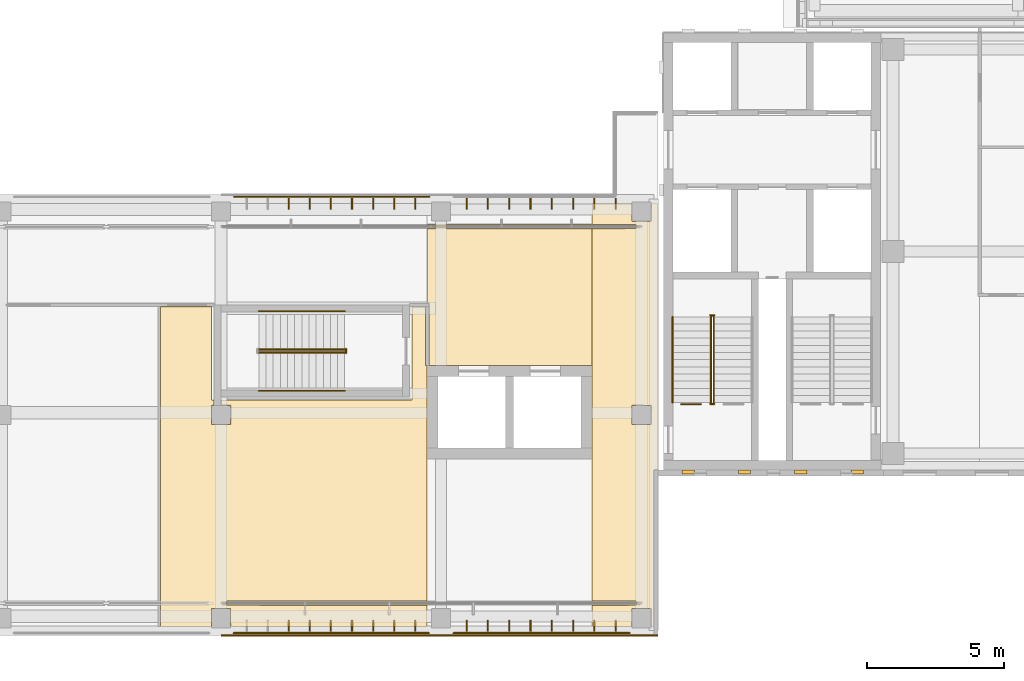
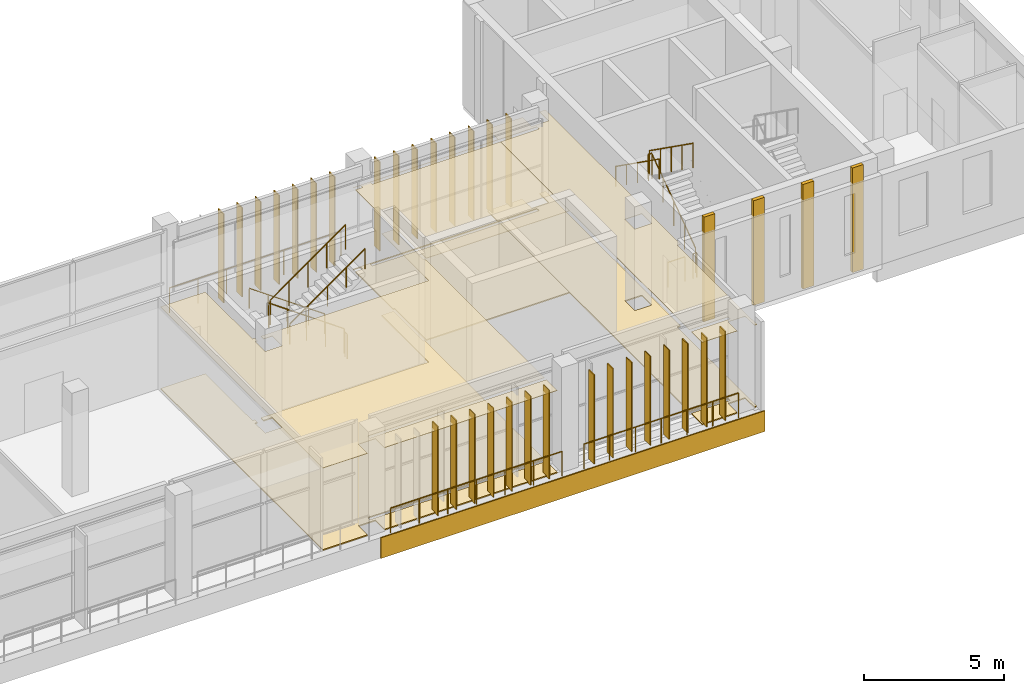
# One storey, part 39 of 46: 30 shading devices, 14 railings, 11 coverings.
"""IFC4 building model written with IfcOpenShell, lengths in metres."""

import ifcopenshell
import ifcopenshell.guid

model = None  # the IFC model being written
_history = None  # IfcOwnerHistory: only IFC2X3 demands one
_inside = {}  # id of a spatial element -> (the spatial element, [elements in it])
_under = {}  # id of a project, library or spatial element -> (it, [spatial elements below it])
_declared = {}  # id of a project -> (the project, [libraries it declares])
_typed = {}  # id of a type object -> (the type object, [elements of that type])
_made_of = {}  # id of a material, layer set ... -> (it, [elements and type objects made of it])


def new_model(schema):
    """Start an empty IFC model of exactly this schema.

    Asked for "IFC4X3", IfcOpenShell would pick the latest addendum, in which some entities
    have other attributes; the version numbers below select the first issue.
    IFC2X3 requires an IfcOwnerHistory on every rooted entity: one is made here for all.
    """
    global model, _history
    if schema == "IFC4X3":
        model = ifcopenshell.file(schema_version=(4, 3, 0, 0))
    else:
        model = ifcopenshell.file(schema=schema)
    _inside.clear()
    _under.clear()
    _declared.clear()
    _typed.clear()
    _made_of.clear()
    _history = None
    if model.schema == "IFC2X3":
        org = make("IfcOrganization", Name="unknown")
        user = make(
            "IfcPersonAndOrganization",
            ThePerson=make("IfcPerson", FamilyName="unknown"),
            TheOrganization=org,
        )
        app = make(
            "IfcApplication",
            ApplicationDeveloper=org,
            Version="unknown",
            ApplicationFullName="unknown",
            ApplicationIdentifier="unknown",
        )
        _history = make(
            "IfcOwnerHistory",
            OwningUser=user,
            OwningApplication=app,
            ChangeAction="ADDED",
            CreationDate=0,
        )
    return model


def make(cls, **values):
    """One entity of the class cls with the attributes given. An attribute that is None is left unset."""
    return model.create_entity(
        cls, **{name: value for name, value in values.items() if value is not None}
    )


def rooted(cls, **values):
    """An entity with a GlobalId (a new one), such as an element, a storey or a relation."""
    return make(cls, GlobalId=ifcopenshell.guid.new(), OwnerHistory=_history, **values)


def si_unit(unit_type, name, prefix=None):
    """IfcSIUnit, for example si_unit("LENGTHUNIT", "METRE", prefix="MILLI")."""
    return make("IfcSIUnit", UnitType=unit_type, Prefix=prefix, Name=name)


def assignment(units):
    """IfcUnitAssignment: the units of a project."""
    return None if units is None else make("IfcUnitAssignment", Units=units)


def point(xyz):
    """IfcCartesianPoint."""
    return None if xyz is None else make("IfcCartesianPoint", Coordinates=xyz)


def direction(xyz):
    """IfcDirection."""
    return None if xyz is None else make("IfcDirection", DirectionRatios=xyz)


def frame(location, z_axis=None, x_axis=None):
    """IfcAxis2Placement3D, a coordinate frame: its origin and axes. An axis left out is left unset."""
    return make(
        "IfcAxis2Placement3D",
        Location=point(location),
        Axis=direction(z_axis),
        RefDirection=direction(x_axis),
    )


def frame_2d(location, x_axis=None):
    """IfcAxis2Placement2D, a coordinate frame in the plane: its origin and x axis."""
    return make(
        "IfcAxis2Placement2D", Location=point(location), RefDirection=direction(x_axis)
    )


def origin():
    """The frame at (0, 0, 0) with its axes left unset."""
    return frame((0.0, 0.0, 0.0))


def origin_2d():
    """The frame at (0, 0) in the plane with its x axis left unset."""
    return frame_2d((0.0, 0.0))


def place(relative_to, where):
    """IfcLocalPlacement: puts the frame where relative to a parent placement (None: the world)."""
    return make(
        "IfcLocalPlacement", PlacementRelTo=relative_to, RelativePlacement=where
    )


def context(
    kind, dimensions, precision=None, world=None, true_north=None, identifier=None
):
    """IfcGeometricRepresentationContext, for example the 3D "Model" context."""
    return make(
        "IfcGeometricRepresentationContext",
        ContextIdentifier=identifier,
        ContextType=kind,
        CoordinateSpaceDimension=dimensions,
        Precision=precision,
        WorldCoordinateSystem=world,
        TrueNorth=true_north,
    )


def subcontext(parent, identifier, kind, view, scale=None):
    """IfcGeometricRepresentationSubContext, for example "Body" below "Model"."""
    return make(
        "IfcGeometricRepresentationSubContext",
        ContextIdentifier=identifier,
        ContextType=kind,
        ParentContext=parent,
        TargetScale=scale,
        TargetView=view,
    )


def project(units=None, contexts=None):
    """IfcProject with its units and contexts."""
    return rooted(
        "IfcProject",
        Name="project",
        RepresentationContexts=contexts,
        UnitsInContext=assignment(units),
    )


def spatial(cls, under=None, at=None, **own):
    """A site, building, storey or space (cls), placed at a placement, below another one or the project."""
    s = rooted(cls, ObjectPlacement=at, **own)
    if under is not None:
        _under.setdefault(under.id(), (under, []))[1].append(s)
    return s


def polyline(points):
    """IfcPolyline through the points."""
    return make("IfcPolyline", Points=[point(p) for p in points])


def profile(cls, at=None, kind="AREA", **sizes):
    """A parametric profile (cls). Its sizes go by their IFC names, for example OverallWidth=200.0."""
    return make(cls, ProfileType=kind, Position=at, **sizes)


def rectangle(**sizes):
    """IfcRectangleProfileDef."""
    return profile("IfcRectangleProfileDef", **sizes)


def circle(**sizes):
    """IfcCircleProfileDef."""
    return profile("IfcCircleProfileDef", **sizes)


def outline(outer, holes=None, kind="AREA"):
    """IfcArbitraryClosedProfileDef: a profile drawn as a closed curve; with holes, ...WithVoids."""
    if holes is None:
        return make("IfcArbitraryClosedProfileDef", ProfileType=kind, OuterCurve=outer)
    return make(
        "IfcArbitraryProfileDefWithVoids",
        ProfileType=kind,
        OuterCurve=outer,
        InnerCurves=holes,
    )


def extrude(swept, where, along, depth):
    """IfcExtrudedAreaSolid: the profile swept, set in the frame where, extruded along a direction by depth."""
    return make(
        "IfcExtrudedAreaSolid",
        SweptArea=swept,
        Position=where,
        ExtrudedDirection=direction(along),
        Depth=depth,
    )


def shape(context_of_items, identifier, shape_type, items):
    """IfcShapeRepresentation: the items that make up one representation, for example the "Body"."""
    return make(
        "IfcShapeRepresentation",
        ContextOfItems=context_of_items,
        RepresentationIdentifier=identifier,
        RepresentationType=shape_type,
        Items=items,
    )


def material(Name=None, Category=None):
    """IfcMaterial."""
    return make("IfcMaterial", Name=Name, Category=Category)


def layer(
    of_material, thickness, ventilated=None, Name=None, Category=None, Priority=None
):
    """IfcMaterialLayer: one layer of a wall or slab, of a material (None: an air gap)."""
    return make(
        "IfcMaterialLayer",
        Material=of_material,
        LayerThickness=thickness,
        IsVentilated=ventilated,
        Name=Name,
        Category=Category,
        Priority=Priority,
    )


def layer_set(layers, Name=None):
    """IfcMaterialLayerSet."""
    return make("IfcMaterialLayerSet", MaterialLayers=layers, LayerSetName=Name)


def made_of(thing, what):
    """Note that an element or type object is made of a material, layer set ...; save() writes the relation."""
    if what is not None:
        _made_of.setdefault(what.id(), (what, []))[1].append(thing)
    return thing


def type_object(cls, material=None, **own):
    """A type object (cls), such as IfcWallType, which elements share."""
    return made_of(rooted(cls, **own), material)


def element(
    cls,
    number,
    at=None,
    inside=None,
    cuts=None,
    type_object=None,
    material=None,
    context=None,
    identifier="Body",
    shape_type=None,
    held_by="IfcProductDefinitionShape",
    body=None,
    shapes=None,
    **own,
):
    """One element of the class cls, such as IfcWall. Its Tag is "e" and its number.

    at: its placement. inside: the storey or other place that contains it. cuts: it is an
    opening in that element (IfcRelVoidsElement). A single representation is given by context,
    identifier, shape_type and body (its items); several are given by shapes. held_by: the class
    of the entity that holds the representations. save() writes the other relations.
    """
    e = rooted(cls, Tag="e%d" % number, ObjectPlacement=at, **own)
    if body is not None:
        shapes = [shape(context, identifier, shape_type, body)]
    if shapes is not None:
        e.Representation = make(held_by, Representations=shapes)
    if inside is not None:
        _inside.setdefault(inside.id(), (inside, []))[1].append(e)
    if cuts is not None:
        rooted(
            "IfcRelVoidsElement", RelatingBuildingElement=cuts, RelatedOpeningElement=e
        )
    if type_object is not None:
        _typed.setdefault(type_object.id(), (type_object, []))[1].append(e)
    return made_of(e, material)


def aggregate(whole, parts):
    """IfcRelAggregates: a whole, such as a stair, and the parts it consists of."""
    return rooted("IfcRelAggregates", RelatingObject=whole, RelatedObjects=parts)


def save(model, path):
    """Write the relations noted so far, then the file.

    IfcRelAggregates (storeys below a building ...), IfcRelContainedInSpatialStructure (elements
    in a storey), IfcRelDefinesByType, IfcRelAssociatesMaterial and IfcRelDeclares: one each for
    every whole, place, type object, material and project.
    """
    for whole, parts in _under.values():
        aggregate(whole, parts)
    for where, things in _inside.values():
        rooted(
            "IfcRelContainedInSpatialStructure",
            RelatedElements=things,
            RelatingStructure=where,
        )
    for kind, things in _typed.values():
        rooted("IfcRelDefinesByType", RelatedObjects=things, RelatingType=kind)
    for what, things in _made_of.values():
        rooted("IfcRelAssociatesMaterial", RelatedObjects=things, RelatingMaterial=what)
    for by, libraries in _declared.values():
        rooted("IfcRelDeclares", RelatingContext=by, RelatedDefinitions=libraries)
    model.write(path)


model = new_model("IFC4")

# Units and contexts
model_context = context("Model", 3, precision=1e-05, world=origin(), true_north=direction((0.0, 1.0)))
body_context = subcontext(model_context, "Body", "Model", "MODEL_VIEW")
ifc_project = project(units=[si_unit("LENGTHUNIT", "METRE"), si_unit("AREAUNIT", "SQUARE_METRE"), si_unit("VOLUMEUNIT", "CUBIC_METRE"), si_unit("PLANEANGLEUNIT", "RADIAN"), si_unit("MASSUNIT", "GRAM", prefix="KILO")], contexts=[model_context])

# Site, building, storey
site_placement = place(None, origin())
site = spatial("IfcSite", under=ifc_project, at=site_placement, CompositionType="ELEMENT")
building_placement = place(site_placement, origin())
building = spatial("IfcBuilding", under=site, at=building_placement, Name="Lantern Court Media Centre", CompositionType="ELEMENT")
storey_placement = place(building_placement, frame((0.0, 0.0, 28.800048828125)))
storey = spatial("IfcBuildingStorey", under=building, at=storey_placement, Name="L06", CompositionType="ELEMENT", Elevation=28.800048828125)

# Covering
ifc_material_1 = material(Name="Carpet")
ifc_layer_1 = layer(ifc_material_1, 0.050048828125)
ifc_layer_set_1 = layer_set([ifc_layer_1], Name="Carpet")
covering_type_1 = type_object("IfcCoveringType", Name="Carpet floor finish", PredefinedType="FLOORING", material=ifc_layer_set_1)
covering_1_placement = place(storey_placement, origin())
element("IfcCovering", 1, at=covering_1_placement, inside=storey, type_object=covering_type_1, Name="Conservation Studio floor finish", PredefinedType="FLOORING", context=body_context, shape_type="SweptSolid", body=[
    extrude(outline(polyline([(61.804931640625, 42.300048828125), (61.804931640625, 53.9326171875), (63.64990234375, 53.9326171875), (63.64990234375, 50.550048828125), (63.7451171875, 50.550048828125), (63.7451171875, 50.35498046875), (63.64501953125, 50.3505859375), (63.64990234375, 49.64501953125), (64.354736328125, 49.648193359375), (64.354736328125, 50.351806640625), (64.0048828125, 50.35498046875), (64.0048828125, 50.550048828125), (70.949951171875, 50.550048828125), (70.949951171875, 53.9326171875), (71.4326171875, 53.9326171875), (71.4326171875, 51.800048828125), (71.4951171875, 51.794921875), (71.5, 43.22998046875), (64.199951171875, 43.22998046875), (64.195068359375, 43.074951171875), (71.5, 43.070068359375), (71.5, 42.300048828125), (64.35498046875, 42.300048828125), (64.35009765625, 42.955078125), (63.646484375, 42.95361328125), (63.64501953125, 42.300048828125), (61.804931640625, 42.300048828125)])), origin(), (0.0, 0.0, 1.0), 0.050048828125),
])

# Railings
ifc_material_2 = material(Name="Powder-coated steel", Category="steel")
railing_type_1 = type_object("IfcRailingType", Name="Floor edge guard 1100", PredefinedType="GUARDRAIL", material=ifc_material_2)
railing_1_placement = place(storey_placement, frame((81.45361328125, 50.390380859375, 0.0)))
element("IfcRailing", 2, at=railing_1_placement, inside=storey, type_object=railing_type_1, Name="L06 opening guard 150", PredefinedType="GUARDRAIL", context=body_context, shape_type="SweptSolid", body=[
    extrude(circle(Radius=0.02392578125, at=origin_2d()), frame((0.0, 0.0, 1.076171875), z_axis=(-1.0, 0.0, 0.0), x_axis=(0.0, -1.0, 0.0)), (0.0, 0.0, 1.0), 0.70361328125),
    extrude(circle(Radius=0.02099609375, at=origin_2d()), origin(), (0.0, 0.0, 1.0), 1.052001953125),
    extrude(circle(Radius=0.02099609375, at=origin_2d()), frame((-0.70361328125, 0.0, 0.0)), (0.0, 0.0, 1.0), 1.052001953125),
])
railing_2_placement = place(storey_placement, frame((71.56298828125, 42.06005859375, 0.0)))
element("IfcRailing", 3, at=railing_2_placement, inside=storey, type_object=railing_type_1, Name="L06 edge guard 242", PredefinedType="GUARDRAIL", context=body_context, shape_type="SweptSolid", body=[
    extrude(circle(Radius=0.02392578125, at=origin_2d()), frame((0.0, 0.0, 1.076171875), z_axis=(-1.0, 0.0, 0.0), x_axis=(0.0, -1.0, 0.0)), (0.0, 0.0, 1.0), 7.097900390625),
    extrude(circle(Radius=0.02099609375, at=origin_2d()), origin(), (0.0, 0.0, 1.0), 1.052001953125),
    extrude(circle(Radius=0.02099609375, at=origin_2d()), frame((-1.18310546875, 0.0, 0.0)), (0.0, 0.0, 1.0), 1.052001953125),
    extrude(circle(Radius=0.02099609375, at=origin_2d()), frame((-2.365966796875, 0.0, 0.0)), (0.0, 0.0, 1.0), 1.052001953125),
    extrude(circle(Radius=0.02099609375, at=origin_2d()), frame((-3.548828125, 0.0, 0.0)), (0.0, 0.0, 1.0), 1.052001953125),
    extrude(circle(Radius=0.02099609375, at=origin_2d()), frame((-4.73193359375, 0.0, 0.0)), (0.0, 0.0, 1.0), 1.052001953125),
    extrude(circle(Radius=0.02099609375, at=origin_2d()), frame((-5.9150390625, 0.0, 0.0)), (0.0, 0.0, 1.0), 1.052001953125),
    extrude(circle(Radius=0.02099609375, at=origin_2d()), frame((-7.097900390625, 0.0, 0.0)), (0.0, 0.0, 1.0), 1.052001953125),
])
railing_3_placement = place(storey_placement, frame((64.47900390625, 57.93994140625, 0.0)))
element("IfcRailing", 4, at=railing_3_placement, inside=storey, type_object=railing_type_1, Name="L06 edge guard 243", PredefinedType="GUARDRAIL", context=body_context, shape_type="SweptSolid", body=[
    extrude(circle(Radius=0.02392578125, at=origin_2d()), frame((0.0, 0.0, 1.076171875), z_axis=(1.0, 0.0, 0.0), x_axis=(0.0, 1.0, 0.0)), (0.0, 0.0, 1.0), 7.097900390625),
    extrude(circle(Radius=0.02099609375, at=origin_2d()), origin(), (0.0, 0.0, 1.0), 1.052001953125),
    extrude(circle(Radius=0.02099609375, at=origin_2d()), frame((1.18310546875, 0.0, 0.0)), (0.0, 0.0, 1.0), 1.052001953125),
    extrude(circle(Radius=0.02099609375, at=origin_2d()), frame((2.365966796875, 0.0, 0.0)), (0.0, 0.0, 1.0), 1.052001953125),
    extrude(circle(Radius=0.02099609375, at=origin_2d()), frame((3.548828125, 0.0, 0.0)), (0.0, 0.0, 1.0), 1.052001953125),
    extrude(circle(Radius=0.02099609375, at=origin_2d()), frame((4.73193359375, 0.0, 0.0)), (0.0, 0.0, 1.0), 1.052001953125),
    extrude(circle(Radius=0.02099609375, at=origin_2d()), frame((5.9150390625, 0.0, 0.0)), (0.0, 0.0, 1.0), 1.052001953125),
    extrude(circle(Radius=0.02099609375, at=origin_2d()), frame((7.097900390625, 0.0, 0.0)), (0.0, 0.0, 1.0), 1.052001953125),
])
railing_4_placement = place(storey_placement, frame((78.861083984375, 42.06005859375, 0.0)))
element("IfcRailing", 5, at=railing_4_placement, inside=storey, type_object=railing_type_1, Name="L06 edge guard 244", PredefinedType="GUARDRAIL", context=body_context, shape_type="SweptSolid", body=[
    extrude(circle(Radius=0.02392578125, at=origin_2d()), frame((0.0, 0.0, 1.076171875), z_axis=(-1.0, 0.0, 0.0), x_axis=(0.0, -1.0, 0.0)), (0.0, 0.0, 1.0), 6.399169921875),
    extrude(circle(Radius=0.02099609375, at=origin_2d()), origin(), (0.0, 0.0, 1.0), 1.052001953125),
    extrude(circle(Radius=0.02099609375, at=origin_2d()), frame((-1.06640625, 0.0, 0.0)), (0.0, 0.0, 1.0), 1.052001953125),
    extrude(circle(Radius=0.02099609375, at=origin_2d()), frame((-2.133056640625, 0.0, 0.0)), (0.0, 0.0, 1.0), 1.052001953125),
    extrude(circle(Radius=0.02099609375, at=origin_2d()), frame((-3.19970703125, 0.0, 0.0)), (0.0, 0.0, 1.0), 1.052001953125),
    extrude(circle(Radius=0.02099609375, at=origin_2d()), frame((-4.26611328125, 0.0, 0.0)), (0.0, 0.0, 1.0), 1.052001953125),
    extrude(circle(Radius=0.02099609375, at=origin_2d()), frame((-5.33251953125, 0.0, 0.0)), (0.0, 0.0, 1.0), 1.052001953125),
    extrude(circle(Radius=0.02099609375, at=origin_2d()), frame((-6.399169921875, 0.0, 0.0)), (0.0, 0.0, 1.0), 1.052001953125),
])

# Coverings
ifc_material_3 = material(Name="White glass-fibre reinforced cement cladding", Category="concrete")
ifc_layer_2 = layer(ifc_material_3, 0.050048828125)
ifc_layer_set_2 = layer_set([ifc_layer_2], Name="White glass-fibre reinforced cement cladding")
covering_type_2 = type_object("IfcCoveringType", Name="Floor-edge band 50", PredefinedType="CLADDING", material=ifc_layer_set_2)
covering_2_placement = place(storey_placement, frame((64.0, 41.97509765625, -0.900146484375), z_axis=(0.0, 0.0, 1.0), x_axis=(1.0, 0.0, 0.0)))
element("IfcCovering", 6, at=covering_2_placement, inside=storey, type_object=covering_type_2, Name="Floor-edge band S outer L06", PredefinedType="CLADDING", context=body_context, shape_type="SweptSolid", body=[
    extrude(rectangle(XDim=15.89990234375, YDim=0.050048828125, at=frame_2d((7.949951171875, 0.0))), origin(), (0.0, 0.0, 1.0), 0.900146484375),
])
ifc_material_4 = material(Name="Honed limestone cladding", Category="masonry")
ifc_layer_3 = layer(ifc_material_4, 0.14990234375)
ifc_layer_set_3 = layer_set([ifc_layer_3], Name="Honed limestone cladding")
covering_type_3 = type_object("IfcCoveringType", Name="Limestone pilaster cladding 150", PredefinedType="CLADDING", material=ifc_layer_set_3)
covering_3_placement = place(storey_placement, frame((80.77490234375, 47.925048828125, 0.0), z_axis=(0.0, 0.0, 1.0), x_axis=(1.0, 0.0, 0.0)))
element("IfcCovering", 7, at=covering_3_placement, inside=storey, type_object=covering_type_3, Name="Limestone pilaster rib", PredefinedType="CLADDING", context=body_context, shape_type="SweptSolid", body=[
    extrude(rectangle(XDim=0.4501953125, YDim=0.14990234375, at=frame_2d((0.22509765625, 0.0))), origin(), (0.0, 0.0, 1.0), 4.579833984375),
])
for number, where, z_axis, x_axis, name in (
    (8, (82.824951171875, 47.925048828125, 0.0), (0.0, 0.0, 1.0), (1.0, 0.0, 0.0), "Limestone pilaster rib"),
    (9, (84.875, 47.925048828125, 0.0), (0.0, 0.0, 1.0), (1.0, 0.0, 0.0), "Limestone pilaster rib"),
    (10, (86.925048828125, 47.925048828125, 0.0), (0.0, 0.0, 1.0), (1.0, 0.0, 0.0), "Limestone pilaster rib"),
):
    element("IfcCovering", number, at=place(storey_placement, frame(where, z_axis=z_axis, x_axis=x_axis)), inside=storey, type_object=covering_type_3, Name=name, PredefinedType="CLADDING", context=body_context, shape_type="SweptSolid", body=[
        extrude(rectangle(XDim=0.449951171875, YDim=0.14990234375, at=frame_2d((0.22509765625, 0.0))), origin(), (0.0, 0.0, 1.0), 4.579833984375),
    ])

# Railings
railing_type_2 = type_object("IfcRailingType", Name="Stair guard 1100", PredefinedType="GUARDRAIL", material=ifc_material_2)
railing_5_placement = place(storey_placement, frame((81.926025390625, 50.449951171875, 0.1845703125)))
element("IfcRailing", 11, at=railing_5_placement, inside=storey, type_object=railing_type_2, Name="L06 ST-SEB stair guard 1", PredefinedType="GUARDRAIL", context=body_context, shape_type="SweptSolid", body=[
    extrude(circle(Radius=0.02392578125, at=origin_2d()), frame((0.0, 0.0, 1.076171875), z_axis=(0.0, 0.815376961211, 0.578930402662), x_axis=(-1.0, 0.0, 0.0)), (0.0, 0.0, 1.0), 3.82666015625),
    extrude(circle(Radius=0.02099609375, at=origin_2d()), origin(), (0.0, 0.0, 1.0), 1.052001953125),
    extrude(circle(Radius=0.02099609375, at=origin_2d()), frame((0.0, 0.780029296875, 0.5537109375)), (0.0, 0.0, 1.0), 1.052001953125),
    extrude(circle(Radius=0.02099609375, at=origin_2d()), frame((0.0, 1.56005859375, 1.107666015625)), (0.0, 0.0, 1.0), 1.052001953125),
    extrude(circle(Radius=0.02099609375, at=origin_2d()), frame((0.0, 2.340087890625, 1.66162109375)), (0.0, 0.0, 1.0), 1.052001953125),
    extrude(circle(Radius=0.02099609375, at=origin_2d()), frame((0.0, 3.1201171875, 2.21533203125)), (0.0, 0.0, 1.0), 1.052001953125),
])
railing_6_placement = place(storey_placement, frame((81.949951171875, 53.6201171875, 2.39990234375)))
element("IfcRailing", 12, at=railing_6_placement, inside=storey, type_object=railing_type_2, Name="L06 ST-SEB stair guard 2", PredefinedType="GUARDRAIL", context=body_context, shape_type="SweptSolid", body=[
    extrude(circle(Radius=0.02392578125, at=origin_2d()), frame((0.0, 0.0, 1.076171875), z_axis=(-1.0, 0.0, 0.0), x_axis=(0.0, -1.0, 0.0)), (0.0, 0.0, 1.0), 0.14990234375),
    extrude(circle(Radius=0.02099609375, at=origin_2d()), origin(), (0.0, 0.0, 1.0), 1.052001953125),
    extrude(circle(Radius=0.02099609375, at=origin_2d()), frame((-0.14990234375, 0.0, 0.0)), (0.0, 0.0, 1.0), 1.052001953125),
])
railing_7_placement = place(storey_placement, frame((81.823974609375, 53.570068359375, 2.58447265625)))
element("IfcRailing", 13, at=railing_7_placement, inside=storey, type_object=railing_type_2, Name="L06 ST-SEB stair guard 3", PredefinedType="GUARDRAIL", context=body_context, shape_type="SweptSolid", body=[
    extrude(circle(Radius=0.02392578125, at=origin_2d()), frame((0.0, 0.0, 1.076171875), z_axis=(0.0, -0.815346844174, 0.578972817752), x_axis=(1.0, 0.0, 0.0)), (0.0, 0.0, 1.0), 3.82666015625),
    extrude(circle(Radius=0.02099609375, at=origin_2d()), origin(), (0.0, 0.0, 1.0), 1.052001953125),
    extrude(circle(Radius=0.02099609375, at=origin_2d()), frame((0.0, -0.780029296875, 0.553955078125)), (0.0, 0.0, 1.0), 1.052001953125),
    extrude(circle(Radius=0.02099609375, at=origin_2d()), frame((0.0, -1.56005859375, 1.10791015625)), (0.0, 0.0, 1.0), 1.052001953125),
    extrude(circle(Radius=0.02099609375, at=origin_2d()), frame((0.0, -2.340087890625, 1.66162109375)), (0.0, 0.0, 1.0), 1.052001953125),
    extrude(circle(Radius=0.02099609375, at=origin_2d()), frame((0.0, -3.1201171875, 2.215576171875)), (0.0, 0.0, 1.0), 1.052001953125),
])
railing_8_placement = place(storey_placement, frame((81.949951171875, 50.39990234375, 0.0)))
element("IfcRailing", 14, at=railing_8_placement, inside=storey, type_object=railing_type_2, Name="L06 ST-SEB stair guard 4", PredefinedType="GUARDRAIL", context=body_context, shape_type="SweptSolid", body=[
    extrude(circle(Radius=0.02392578125, at=origin_2d()), frame((0.0, 0.0, 1.076171875), z_axis=(-1.0, 0.0, 0.0), x_axis=(0.0, -1.0, 0.0)), (0.0, 0.0, 1.0), 0.14990234375),
    extrude(circle(Radius=0.02099609375, at=origin_2d()), origin(), (0.0, 0.0, 1.0), 1.052001953125),
    extrude(circle(Radius=0.02099609375, at=origin_2d()), frame((-0.14990234375, 0.0, 0.0)), (0.0, 0.0, 1.0), 1.052001953125),
])
railing_9_placement = place(storey_placement, frame((68.5, 52.3759765625, 0.1845703125)))
element("IfcRailing", 15, at=railing_9_placement, inside=storey, type_object=railing_type_2, Name="L06 ST-V3-ST-E stair guard 1", PredefinedType="GUARDRAIL", context=body_context, shape_type="SweptSolid", body=[
    extrude(circle(Radius=0.02392578125, at=origin_2d()), frame((0.0, 0.0, 1.076171875), z_axis=(-0.815376961211, 0.0, 0.578930402662), x_axis=(0.0, -1.0, 0.0)), (0.0, 0.0, 1.0), 3.82666015625),
    extrude(circle(Radius=0.02099609375, at=origin_2d()), origin(), (0.0, 0.0, 1.0), 1.052001953125),
    extrude(circle(Radius=0.02099609375, at=origin_2d()), frame((-0.780029296875, 0.0, 0.5537109375)), (0.0, 0.0, 1.0), 1.052001953125),
    extrude(circle(Radius=0.02099609375, at=origin_2d()), frame((-1.56005859375, 0.0, 1.107666015625)), (0.0, 0.0, 1.0), 1.052001953125),
    extrude(circle(Radius=0.02099609375, at=origin_2d()), frame((-2.340087890625, 0.0, 1.66162109375)), (0.0, 0.0, 1.0), 1.052001953125),
    extrude(circle(Radius=0.02099609375, at=origin_2d()), frame((-3.1201171875, 0.0, 2.21533203125)), (0.0, 0.0, 1.0), 1.052001953125),
])
railing_10_placement = place(storey_placement, frame((65.3798828125, 52.27392578125, 2.58447265625)))
element("IfcRailing", 16, at=railing_10_placement, inside=storey, type_object=railing_type_2, Name="L06 ST-V3-ST-E stair guard 3", PredefinedType="GUARDRAIL", context=body_context, shape_type="SweptSolid", body=[
    extrude(circle(Radius=0.02392578125, at=origin_2d()), frame((0.0, 0.0, 1.076171875), z_axis=(0.815346844174, 0.0, 0.578972817752), x_axis=(0.0, 1.0, 0.0)), (0.0, 0.0, 1.0), 3.82666015625),
    extrude(circle(Radius=0.02099609375, at=origin_2d()), origin(), (0.0, 0.0, 1.0), 1.052001953125),
    extrude(circle(Radius=0.02099609375, at=origin_2d()), frame((0.780029296875, 0.0, 0.553955078125)), (0.0, 0.0, 1.0), 1.052001953125),
    extrude(circle(Radius=0.02099609375, at=origin_2d()), frame((1.56005859375, 0.0, 1.10791015625)), (0.0, 0.0, 1.0), 1.052001953125),
    extrude(circle(Radius=0.02099609375, at=origin_2d()), frame((2.340087890625, 0.0, 1.66162109375)), (0.0, 0.0, 1.0), 1.052001953125),
    extrude(circle(Radius=0.02099609375, at=origin_2d()), frame((3.1201171875, 0.0, 2.215576171875)), (0.0, 0.0, 1.0), 1.052001953125),
])
railing_11_placement = place(storey_placement, frame((68.550048828125, 52.39990234375, 0.0)))
element("IfcRailing", 17, at=railing_11_placement, inside=storey, type_object=railing_type_2, Name="L06 ST-V3-ST-E stair guard 4", PredefinedType="GUARDRAIL", context=body_context, shape_type="SweptSolid", body=[
    extrude(circle(Radius=0.02392578125, at=origin_2d()), frame((0.0, 0.0, 1.076171875), z_axis=(0.0, -1.0, 0.0), x_axis=(1.0, 0.0, 0.0)), (0.0, 0.0, 1.0), 0.14990234375),
    extrude(circle(Radius=0.02099609375, at=origin_2d()), origin(), (0.0, 0.0, 1.0), 1.052001953125),
    extrude(circle(Radius=0.02099609375, at=origin_2d()), frame((0.0, -0.14990234375, 0.0)), (0.0, 0.0, 1.0), 1.052001953125),
])
railing_type_3 = type_object("IfcRailingType", Name="Stair handrail 900", PredefinedType="HANDRAIL", material=ifc_material_2)
railing_12_placement = place(storey_placement, frame((80.426025390625, 53.570068359375, 2.58447265625)))
element("IfcRailing", 18, at=railing_12_placement, inside=storey, type_object=railing_type_3, Name="L06 ST-SEB stair handrail 2", PredefinedType="HANDRAIL", context=body_context, shape_type="SweptSolid", body=[
    extrude(circle(Radius=0.02392578125, at=origin_2d()), frame((0.0, 0.0, 0.8759765625), z_axis=(0.0, -0.815346844174, 0.578972817752), x_axis=(1.0, 0.0, 0.0)), (0.0, 0.0, 1.0), 3.82666015625),
    extrude(circle(Radius=0.02099609375, at=origin_2d()), origin(), (0.0, 0.0, 1.0), 0.851806640625),
    extrude(circle(Radius=0.02099609375, at=origin_2d()), frame((0.0, -0.780029296875, 0.553955078125)), (0.0, 0.0, 1.0), 0.851806640625),
    extrude(circle(Radius=0.02099609375, at=origin_2d()), frame((0.0, -1.56005859375, 1.10791015625)), (0.0, 0.0, 1.0), 0.851806640625),
    extrude(circle(Radius=0.02099609375, at=origin_2d()), frame((0.0, -2.340087890625, 1.66162109375)), (0.0, 0.0, 1.0), 0.851806640625),
    extrude(circle(Radius=0.02099609375, at=origin_2d()), frame((0.0, -3.1201171875, 2.215576171875)), (0.0, 0.0, 1.0), 0.851806640625),
])
railing_13_placement = place(storey_placement, frame((68.5, 53.77392578125, 0.1845703125)))
element("IfcRailing", 19, at=railing_13_placement, inside=storey, type_object=railing_type_3, Name="L06 ST-V3-ST-E stair handrail 1", PredefinedType="HANDRAIL", context=body_context, shape_type="SweptSolid", body=[
    extrude(circle(Radius=0.02392578125, at=origin_2d()), frame((0.0, 0.0, 0.8759765625), z_axis=(-0.815376961211, 0.0, 0.578930402662), x_axis=(0.0, -1.0, 0.0)), (0.0, 0.0, 1.0), 3.82666015625),
    extrude(circle(Radius=0.02099609375, at=origin_2d()), origin(), (0.0, 0.0, 1.0), 0.851806640625),
    extrude(circle(Radius=0.02099609375, at=origin_2d()), frame((-0.780029296875, 0.0, 0.5537109375)), (0.0, 0.0, 1.0), 0.851806640625),
    extrude(circle(Radius=0.02099609375, at=origin_2d()), frame((-1.56005859375, 0.0, 1.107666015625)), (0.0, 0.0, 1.0), 0.851806640625),
    extrude(circle(Radius=0.02099609375, at=origin_2d()), frame((-2.340087890625, 0.0, 1.66162109375)), (0.0, 0.0, 1.0), 0.851806640625),
    extrude(circle(Radius=0.02099609375, at=origin_2d()), frame((-3.1201171875, 0.0, 2.21533203125)), (0.0, 0.0, 1.0), 0.851806640625),
])
railing_14_placement = place(storey_placement, frame((65.3798828125, 50.8759765625, 2.58447265625)))
element("IfcRailing", 20, at=railing_14_placement, inside=storey, type_object=railing_type_3, Name="L06 ST-V3-ST-E stair handrail 2", PredefinedType="HANDRAIL", context=body_context, shape_type="SweptSolid", body=[
    extrude(circle(Radius=0.02392578125, at=origin_2d()), frame((0.0, 0.0, 0.8759765625), z_axis=(0.815346844174, 0.0, 0.578972817752), x_axis=(0.0, 1.0, 0.0)), (0.0, 0.0, 1.0), 3.82666015625),
    extrude(circle(Radius=0.02099609375, at=origin_2d()), origin(), (0.0, 0.0, 1.0), 0.851806640625),
    extrude(circle(Radius=0.02099609375, at=origin_2d()), frame((0.780029296875, 0.0, 0.553955078125)), (0.0, 0.0, 1.0), 0.851806640625),
    extrude(circle(Radius=0.02099609375, at=origin_2d()), frame((1.56005859375, 0.0, 1.10791015625)), (0.0, 0.0, 1.0), 0.851806640625),
    extrude(circle(Radius=0.02099609375, at=origin_2d()), frame((2.340087890625, 0.0, 1.66162109375)), (0.0, 0.0, 1.0), 0.851806640625),
    extrude(circle(Radius=0.02099609375, at=origin_2d()), frame((3.1201171875, 0.0, 2.215576171875)), (0.0, 0.0, 1.0), 0.851806640625),
])

# Coverings
ifc_material_5 = material(Name="Mineral fibre ceiling tile")
ifc_layer_4 = layer(ifc_material_5, 0.02001953125)
ifc_layer_set_4 = layer_set([ifc_layer_4], Name="Mineral fibre ceiling tile")
covering_type_4 = type_object("IfcCoveringType", Name="Suspended ceiling tile", PredefinedType="CEILING", material=ifc_layer_set_4)
covering_4_placement = place(storey_placement, frame((0.0, 0.0, 3.599853515625)))
element("IfcCovering", 21, at=covering_4_placement, inside=storey, type_object=covering_type_4, Name="End Lobby ceiling", PredefinedType="CEILING", context=body_context, shape_type="SweptSolid", body=[
    extrude(outline(polyline([(77.5, 42.300048828125), (77.5, 43.074462890625), (79.1005859375, 43.074951171875), (79.10009765625, 43.2255859375), (77.5, 43.2255859375), (77.5, 56.7744140625), (79.1005859375, 56.77490234375), (79.10009765625, 56.925537109375), (77.5, 56.925537109375), (77.5, 57.699951171875), (78.949462890625, 57.699951171875), (78.949951171875, 57.049560546875), (79.650390625, 57.049560546875), (79.650390625, 57.699951171875), (79.89990234375, 57.699951171875), (79.89990234375, 48.00048828125), (79.759521484375, 48.0), (79.759521484375, 42.300048828125), (79.650390625, 42.300048828125), (79.64990234375, 42.950439453125), (78.94970703125, 42.950439453125), (78.949462890625, 42.300048828125), (77.5, 42.300048828125)]), holes=[polyline([(78.949951171875, 50.3505859375), (78.94970703125, 49.649658203125), (79.650390625, 49.649658203125), (79.650390625, 50.350341796875), (78.949951171875, 50.3505859375)])]), origin(), (0.0, 0.0, 1.0), 0.02001953125),
])
covering_5_placement = place(storey_placement, frame((0.0, 0.0, 3.599853515625)))
element("IfcCovering", 22, at=covering_5_placement, inside=storey, type_object=covering_type_4, Name="Lift Lobby ceiling", PredefinedType="CEILING", context=body_context, shape_type="SweptSolid", body=[
    extrude(outline(polyline([(77.5, 51.800537109375), (71.56298828125, 51.800537109375), (71.56298828125, 54.0625), (71.5, 54.06298828125), (71.5, 56.7744140625), (71.80029296875, 56.774658203125), (71.800537109375, 56.925048828125), (71.5, 56.925537109375), (71.5, 56.949951171875), (77.5, 56.949951171875), (77.5, 56.925537109375), (72.199462890625, 56.925048828125), (72.199951171875, 56.7744140625), (77.5, 56.7744140625), (77.5, 51.800537109375)])), origin(), (0.0, 0.0, 1.0), 0.02001953125),
])
covering_6_placement = place(storey_placement, frame((0.0, 0.0, 3.599853515625)))
element("IfcCovering", 23, at=covering_6_placement, inside=storey, type_object=covering_type_4, Name="Conservation Studio ceiling", PredefinedType="CEILING", context=body_context, shape_type="SweptSolid", body=[
    extrude(outline(polyline([(61.800537109375, 42.300048828125), (61.800537109375, 53.93701171875), (63.64990234375, 53.93701171875), (63.64990234375, 50.550048828125), (63.74951171875, 50.550048828125), (63.74951171875, 50.3505859375), (63.6494140625, 50.35009765625), (63.64990234375, 49.6494140625), (64.350341796875, 49.64990234375), (64.350341796875, 50.35009765625), (64.00048828125, 50.3505859375), (64.00048828125, 50.550048828125), (70.949951171875, 50.550048828125), (70.949951171875, 53.93701171875), (71.43701171875, 53.93701171875), (71.43701171875, 51.800048828125), (71.49951171875, 51.799560546875), (71.5, 43.2255859375), (64.199951171875, 43.2255859375), (64.199462890625, 43.074951171875), (71.5, 43.074462890625), (71.5, 42.300048828125), (64.3505859375, 42.300048828125), (64.35009765625, 42.950439453125), (63.649658203125, 42.950439453125), (63.6494140625, 42.300048828125), (61.800537109375, 42.300048828125)])), origin(), (0.0, 0.0, 1.0), 0.02001953125),
])
ifc_material_6 = material(Name="Terrazzo")
ifc_layer_5 = layer(ifc_material_6, 0.050048828125)
ifc_layer_set_5 = layer_set([ifc_layer_5], Name="Terrazzo")
covering_type_5 = type_object("IfcCoveringType", Name="Terrazzo floor finish", PredefinedType="FLOORING", material=ifc_layer_set_5)
covering_7_placement = place(storey_placement, origin())
element("IfcCovering", 24, at=covering_7_placement, inside=storey, type_object=covering_type_5, Name="End Lobby floor finish", PredefinedType="FLOORING", context=body_context, shape_type="SweptSolid", body=[
    extrude(outline(polyline([(77.5, 42.300048828125), (77.5, 43.070068359375), (79.10498046875, 43.074951171875), (79.1005859375, 43.22998046875), (77.5, 43.22998046875), (77.5, 56.77001953125), (79.10498046875, 56.77490234375), (79.1005859375, 56.929931640625), (77.5, 56.929931640625), (77.5, 57.699951171875), (78.945068359375, 57.699951171875), (78.949951171875, 57.044921875), (79.65283203125, 57.0458984375), (79.655029296875, 57.699951171875), (79.89990234375, 57.699951171875), (79.89990234375, 48.0048828125), (79.7548828125, 48.0), (79.7548828125, 42.300048828125), (79.655029296875, 42.300048828125), (79.64990234375, 42.955078125), (78.946533203125, 42.95361328125), (78.945068359375, 42.300048828125), (77.5, 42.300048828125)]), holes=[polyline([(79.655029296875, 50.35009765625), (78.946533203125, 50.353515625), (78.946533203125, 49.646484375), (79.653564453125, 49.646484375), (79.655029296875, 50.35009765625)])]), origin(), (0.0, 0.0, 1.0), 0.050048828125),
])
covering_8_placement = place(storey_placement, origin())
element("IfcCovering", 25, at=covering_8_placement, inside=storey, type_object=covering_type_5, Name="Lift Lobby floor finish", PredefinedType="FLOORING", context=body_context, shape_type="SweptSolid", body=[
    extrude(outline(polyline([(77.5, 51.804931640625), (71.5673828125, 51.804931640625), (71.5673828125, 54.0625), (71.5, 54.0673828125), (71.5, 56.77001953125), (71.80224609375, 56.7705078125), (71.804931640625, 56.925048828125), (71.5, 56.929931640625), (71.5, 56.949951171875), (77.5, 56.949951171875), (77.5, 56.929931640625), (72.195068359375, 56.925048828125), (72.199951171875, 56.77001953125), (77.5, 56.77001953125), (77.5, 51.804931640625)])), origin(), (0.0, 0.0, 1.0), 0.050048828125),
])

# Shading devices
ifc_material_7 = material(Name="Bronze anodised aluminium louvre", Category="aluminium")
ifc_layer_6 = layer(ifc_material_7, 0.0400390625)
ifc_layer_set_6 = layer_set([ifc_layer_6], Name="Bronze anodised aluminium louvre")
shading_device_type = type_object("IfcShadingDeviceType", Name="Vertical louvre 40x400 under beam", PredefinedType="USERDEFINED", material=ifc_layer_set_6)
for number, where, z_axis, x_axis, name in (
    (26, (66.466552734375, 42.320068359375, 0.0), (0.0, 0.0, 1.0), (1.0, 0.0, 0.0), "Vertical louvre S outer L06"),
    (27, (67.2333984375, 42.320068359375, 0.0), (0.0, 0.0, 1.0), (1.0, 0.0, 0.0), "Vertical louvre S outer L06"),
    (28, (68.0, 42.320068359375, 0.0), (0.0, 0.0, 1.0), (1.0, 0.0, 0.0), "Vertical louvre S outer L06"),
    (29, (68.7666015625, 42.320068359375, 0.0), (0.0, 0.0, 1.0), (1.0, 0.0, 0.0), "Vertical louvre S outer L06"),
    (30, (69.533447265625, 42.320068359375, 0.0), (0.0, 0.0, 1.0), (1.0, 0.0, 0.0), "Vertical louvre S outer L06"),
    (31, (70.300048828125, 42.320068359375, 0.0), (0.0, 0.0, 1.0), (1.0, 0.0, 0.0), "Vertical louvre S outer L06"),
    (32, (71.066650390625, 42.320068359375, 0.0), (0.0, 0.0, 1.0), (1.0, 0.0, 0.0), "Vertical louvre S outer L06"),
    (33, (72.9375, 42.320068359375, 0.0), (0.0, 0.0, 1.0), (1.0, 0.0, 0.0), "Vertical louvre S outer L06"),
    (34, (73.71240234375, 42.320068359375, 0.0), (0.0, 0.0, 1.0), (1.0, 0.0, 0.0), "Vertical louvre S outer L06"),
    (35, (74.487548828125, 42.320068359375, 0.0), (0.0, 0.0, 1.0), (1.0, 0.0, 0.0), "Vertical louvre S outer L06"),
    (36, (75.262451171875, 42.320068359375, 0.0), (0.0, 0.0, 1.0), (1.0, 0.0, 0.0), "Vertical louvre S outer L06"),
    (37, (76.03759765625, 42.320068359375, 0.0), (0.0, 0.0, 1.0), (1.0, 0.0, 0.0), "Vertical louvre S outer L06"),
    (38, (76.8125, 42.320068359375, 0.0), (0.0, 0.0, 1.0), (1.0, 0.0, 0.0), "Vertical louvre S outer L06"),
    (39, (77.58740234375, 42.320068359375, 0.0), (0.0, 0.0, 1.0), (1.0, 0.0, 0.0), "Vertical louvre S outer L06"),
    (40, (78.362548828125, 42.320068359375, 0.0), (0.0, 0.0, 1.0), (1.0, 0.0, 0.0), "Vertical louvre S outer L06"),
    (41, (66.466552734375, 57.679931640625, 0.0), (0.0, 0.0, 1.0), (1.0, 0.0, 0.0), "Vertical louvre S inner L06"),
    (42, (67.2333984375, 57.679931640625, 0.0), (0.0, 0.0, 1.0), (1.0, 0.0, 0.0), "Vertical louvre S inner L06"),
    (43, (68.0, 57.679931640625, 0.0), (0.0, 0.0, 1.0), (1.0, 0.0, 0.0), "Vertical louvre S inner L06"),
    (44, (68.7666015625, 57.679931640625, 0.0), (0.0, 0.0, 1.0), (1.0, 0.0, 0.0), "Vertical louvre S inner L06"),
    (45, (69.533447265625, 57.679931640625, 0.0), (0.0, 0.0, 1.0), (1.0, 0.0, 0.0), "Vertical louvre S inner L06"),
    (46, (70.300048828125, 57.679931640625, 0.0), (0.0, 0.0, 1.0), (1.0, 0.0, 0.0), "Vertical louvre S inner L06"),
    (47, (71.066650390625, 57.679931640625, 0.0), (0.0, 0.0, 1.0), (1.0, 0.0, 0.0), "Vertical louvre S inner L06"),
    (48, (72.9375, 57.679931640625, 0.0), (0.0, 0.0, 1.0), (1.0, 0.0, 0.0), "Vertical louvre S inner L06"),
    (49, (73.71240234375, 57.679931640625, 0.0), (0.0, 0.0, 1.0), (1.0, 0.0, 0.0), "Vertical louvre S inner L06"),
    (50, (74.487548828125, 57.679931640625, 0.0), (0.0, 0.0, 1.0), (1.0, 0.0, 0.0), "Vertical louvre S inner L06"),
    (51, (75.262451171875, 57.679931640625, 0.0), (0.0, 0.0, 1.0), (1.0, 0.0, 0.0), "Vertical louvre S inner L06"),
    (52, (76.03759765625, 57.679931640625, 0.0), (0.0, 0.0, 1.0), (1.0, 0.0, 0.0), "Vertical louvre S inner L06"),
    (53, (76.8125, 57.679931640625, 0.0), (0.0, 0.0, 1.0), (1.0, 0.0, 0.0), "Vertical louvre S inner L06"),
    (54, (77.58740234375, 57.679931640625, 0.0), (0.0, 0.0, 1.0), (1.0, 0.0, 0.0), "Vertical louvre S inner L06"),
    (55, (78.362548828125, 57.679931640625, 0.0), (0.0, 0.0, 1.0), (1.0, 0.0, 0.0), "Vertical louvre S inner L06"),
):
    element("IfcShadingDevice", number, at=place(storey_placement, frame(where, z_axis=z_axis, x_axis=x_axis)), inside=storey, type_object=shading_device_type, Name=name, ObjectType="VERTICAL LOUVRE", PredefinedType="USERDEFINED", context=body_context, shape_type="SweptSolid", body=[
        extrude(rectangle(XDim=0.0400390625, YDim=0.39990234375, at=origin_2d()), origin(), (0.0, 0.0, 1.0), 3.89990234375),
    ])

save(model, "model.ifc")
